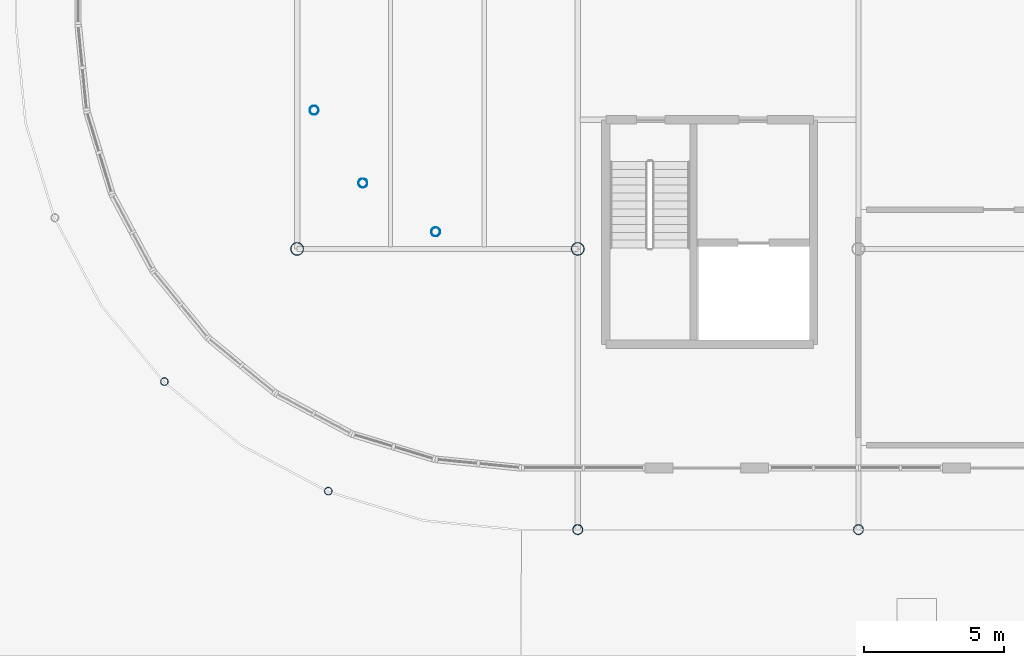
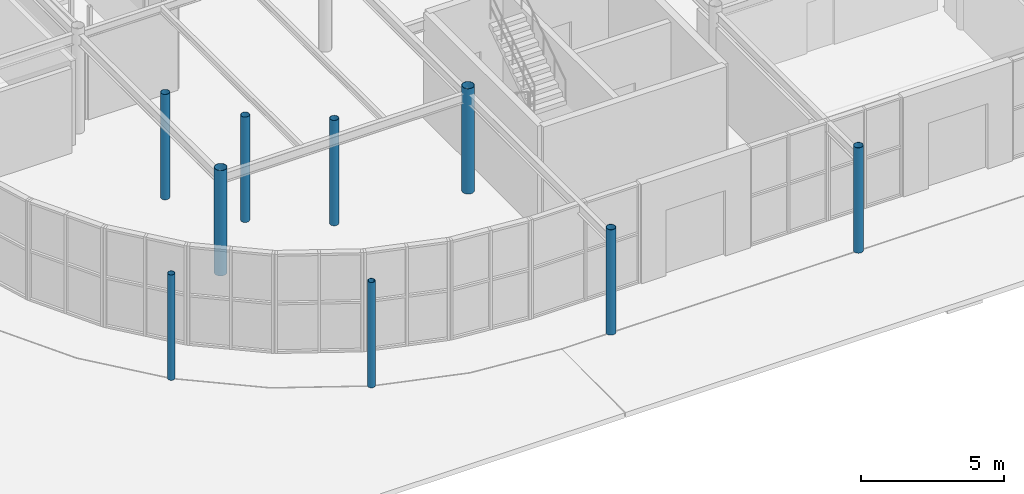
# One storey, part 7 of 119: 9 columns.
"""IFC4 building model written with IfcOpenShell, lengths in metres."""

from ifc_helpers import new_model, si_unit, derived_unit, direction, frame, origin, origin_2d_with_axis, place, context, subcontext, project, spatial, hollow_circle, extrude, material, material_profile, profile_set, type_object, element, save


model = new_model("IFC4")

# Units and contexts
model_context = context("Model", 3, precision=1e-05, world=origin(), true_north=direction((0.0, 1.0)))
body_context = subcontext(model_context, "Body", "Model", "MODEL_VIEW")
ifc_project = project(units=[si_unit("LENGTHUNIT", "METRE"), si_unit("AREAUNIT", "SQUARE_METRE"), si_unit("VOLUMEUNIT", "CUBIC_METRE"), si_unit("PLANEANGLEUNIT", "RADIAN"), si_unit("MASSUNIT", "GRAM", prefix="KILO"), derived_unit("THERMALTRANSMITTANCEUNIT", [(si_unit("POWERUNIT", "WATT"), 1), (si_unit("LENGTHUNIT", "METRE"), -2), (si_unit("THERMODYNAMICTEMPERATUREUNIT", "KELVIN"), -1)])], contexts=[model_context])

# Site, building, storey
site_placement = place(None, origin())
site = spatial("IfcSite", under=ifc_project, at=site_placement, CompositionType="ELEMENT")
building_placement = place(site_placement, origin())
building = spatial("IfcBuilding", under=site, at=building_placement, Name="Cinnabar Yard Market Hall", CompositionType="ELEMENT")
storey_placement = place(building_placement, origin())
storey = spatial("IfcBuildingStorey", under=building, at=storey_placement, Name="L00", CompositionType="ELEMENT", Elevation=0.0)

# Columns
ifc_material = material(Name="Spotted-gum glulam-clad steel Grade 350 (350 MPa)", Category="steel")
ifc_material_profile_1 = material_profile(ifc_material, hollow_circle(Radius=0.228515625, WallThickness=0.0126953125, at=origin_2d_with_axis()), Name="457.0x12.7CHS")
ifc_profile_set_1 = profile_set([ifc_material_profile_1], Name="Spotted-gum glulam-clad steel Grade 350 (350 MPa)")
column_type_1 = type_object("IfcColumnType", Name="COL-C01", PredefinedType="COLUMN", material=ifc_profile_set_1)
for number, where, z_axis, x_axis, name in (
    (1, (76.0, 24.0, 0.0), (0.0, 0.0, 1.0), (1.0, 0.0, 0.0), "Tree Column V1I-01-01 L00"),
    (2, (86.0, 24.0, 0.0), (0.0, 0.0, 1.0), (1.0, 0.0, 0.0), "Tree Column V1I-02-01 L00"),
):
    element("IfcColumn", number, at=place(storey_placement, frame(where, z_axis=z_axis, x_axis=x_axis)), inside=storey, type_object=column_type_1, Name=name, PredefinedType="COLUMN", context=body_context, shape_type="SweptSolid", body=[
        extrude(hollow_circle(Radius=0.228515625, WallThickness=0.0126953125, at=origin_2d_with_axis()), origin(), (0.0, 0.0, 1.0), 4.5),
    ])
ifc_material_profile_2 = material_profile(ifc_material, hollow_circle(Radius=0.177734375, WallThickness=0.0126953125, at=origin_2d_with_axis()), Name="355.6x12.7CHS")
ifc_profile_set_2 = profile_set([ifc_material_profile_2], Name="Spotted-gum glulam-clad steel Grade 350 (350 MPa)")
column_type_2 = type_object("IfcColumnType", Name="COL-C02E", PredefinedType="COLUMN", material=ifc_profile_set_2)
for number, where, z_axis, x_axis, name in (
    (3, (86.0, 14.0, 0.0), (0.0, 0.0, 1.0), (1.0, 0.0, 0.0), "Tree Column V1S-01 L00"),
    (4, (96.0, 14.0, 0.0), (0.0, 0.0, 1.0), (1.0, 0.0, 0.0), "Tree Column V1S-02 L00"),
):
    element("IfcColumn", number, at=place(storey_placement, frame(where, z_axis=z_axis, x_axis=x_axis)), inside=storey, type_object=column_type_2, Name=name, PredefinedType="COLUMN", context=body_context, shape_type="SweptSolid", body=[
        extrude(hollow_circle(Radius=0.177734375, WallThickness=0.0126953125, at=origin_2d_with_axis()), origin(), (0.0, 0.0, 1.0), 4.5),
    ])
ifc_material_profile_3 = material_profile(ifc_material, hollow_circle(Radius=0.161865234375, WallThickness=0.009521484375, at=origin_2d_with_axis()), Name="323.9x9.5CHS")
ifc_profile_set_3 = profile_set([ifc_material_profile_3], Name="Spotted-gum glulam-clad steel Grade 350 (350 MPa)")
column_type_3 = type_object("IfcColumnType", Name="COL-C03", PredefinedType="COLUMN", material=ifc_profile_set_3)
for number, where, z_axis, x_axis, name in (
    (5, (76.60888671875, 28.9384765625, 0.0), (0.0, 0.0, 1.0), (1.0, 0.0, 0.0), "Tree Column V1IC-SW2 L00"),
    (6, (78.343017578125, 26.343017578125, 0.0), (0.0, 0.0, 1.0), (1.0, 0.0, 0.0), "Tree Column V1IC-SW4 L00"),
    (7, (80.9384765625, 24.60888671875, 0.0), (0.0, 0.0, 1.0), (1.0, 0.0, 0.0), "Tree Column V1IC-SW6 L00"),
):
    element("IfcColumn", number, at=place(storey_placement, frame(where, z_axis=z_axis, x_axis=x_axis)), inside=storey, type_object=column_type_3, Name=name, PredefinedType="COLUMN", context=body_context, shape_type="SweptSolid", body=[
        extrude(hollow_circle(Radius=0.161865234375, WallThickness=0.009521484375, at=origin_2d_with_axis()), origin(), (0.0, 0.0, 1.0), 4.5),
    ])
ifc_material_profile_4 = material_profile(ifc_material, hollow_circle(Radius=0.136474609375, WallThickness=0.00927734375, at=origin_2d_with_axis()), Name="273.1x9.3CHS")
ifc_profile_set_4 = profile_set([ifc_material_profile_4], Name="Spotted-gum glulam-clad steel Grade 350 (350 MPa)")
column_type_4 = type_object("IfcColumnType", Name="COL-C04E", PredefinedType="COLUMN", material=ifc_profile_set_4)
for number, where, z_axis, x_axis, name in (
    (8, (71.272216796875, 19.272216796875, 0.0), (0.0, 0.0, 1.0), (1.0, 0.0, 0.0), "Tree Column V1C-SW4 L00"),
    (9, (77.11181640625, 15.3701171875, 0.0), (0.0, 0.0, 1.0), (1.0, 0.0, 0.0), "Tree Column V1C-SW6 L00"),
):
    element("IfcColumn", number, at=place(storey_placement, frame(where, z_axis=z_axis, x_axis=x_axis)), inside=storey, type_object=column_type_4, Name=name, PredefinedType="COLUMN", context=body_context, shape_type="SweptSolid", body=[
        extrude(hollow_circle(Radius=0.136474609375, WallThickness=0.00927734375, at=origin_2d_with_axis()), origin(), (0.0, 0.0, 1.0), 4.5),
    ])

save(model, "model.ifc")
